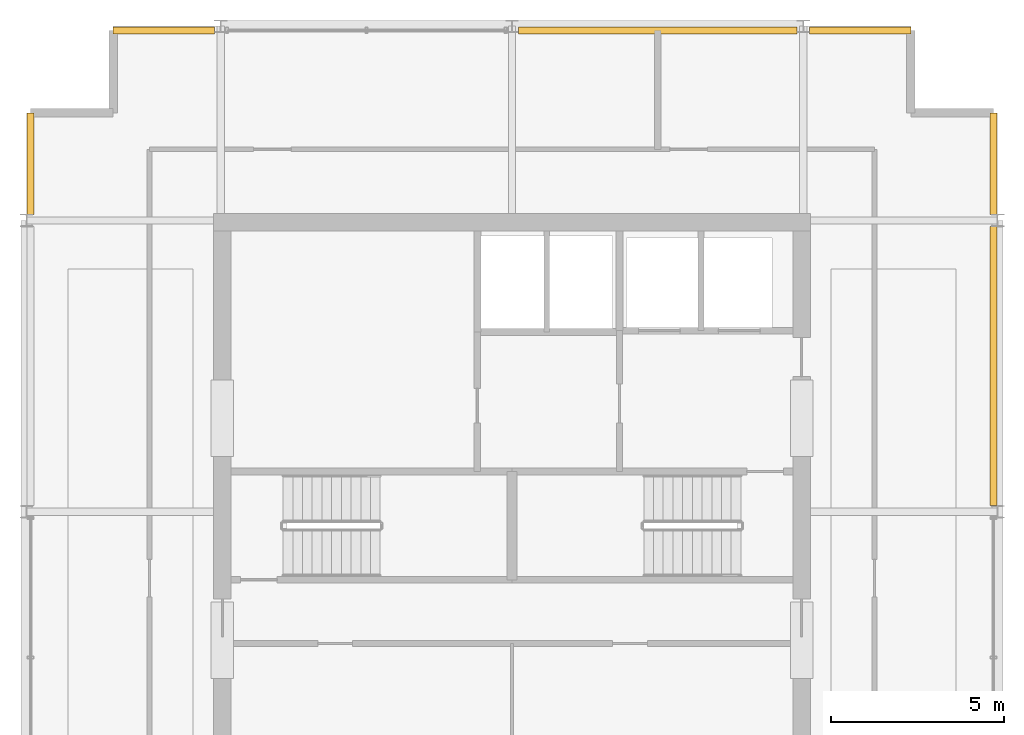
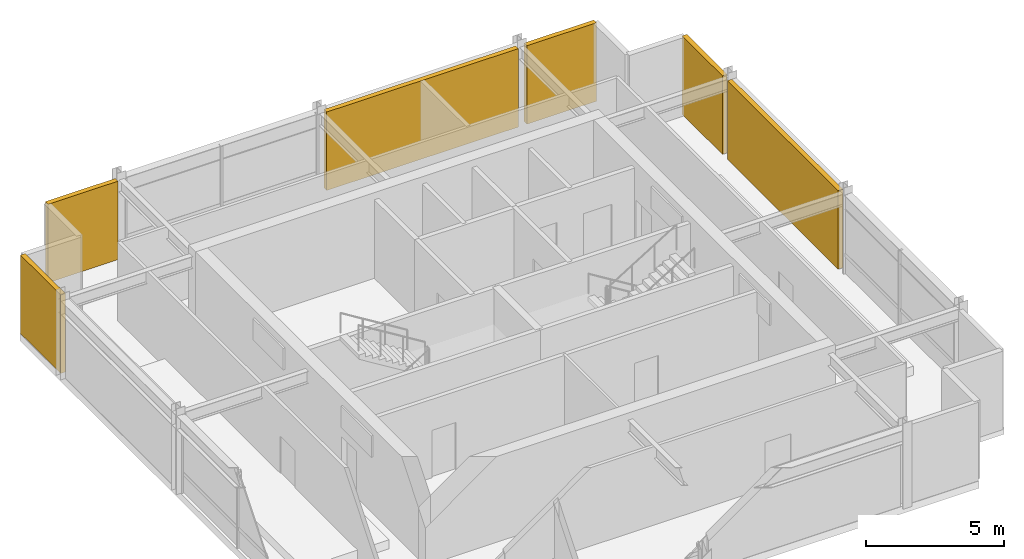
# One storey, part 12 of 12: 6 shading devices.
"""IFC4 building model written with IfcOpenShell, lengths in metres."""

import ifcopenshell
import ifcopenshell.guid

model = None  # the IFC model being written
_history = None  # IfcOwnerHistory: only IFC2X3 demands one
_inside = {}  # id of a spatial element -> (the spatial element, [elements in it])
_under = {}  # id of a project, library or spatial element -> (it, [spatial elements below it])
_declared = {}  # id of a project -> (the project, [libraries it declares])
_typed = {}  # id of a type object -> (the type object, [elements of that type])
_made_of = {}  # id of a material, layer set ... -> (it, [elements and type objects made of it])


def new_model(schema):
    """Start an empty IFC model of exactly this schema.

    Asked for "IFC4X3", IfcOpenShell would pick the latest addendum, in which some entities
    have other attributes; the version numbers below select the first issue.
    IFC2X3 requires an IfcOwnerHistory on every rooted entity: one is made here for all.
    """
    global model, _history
    if schema == "IFC4X3":
        model = ifcopenshell.file(schema_version=(4, 3, 0, 0))
    else:
        model = ifcopenshell.file(schema=schema)
    _inside.clear()
    _under.clear()
    _declared.clear()
    _typed.clear()
    _made_of.clear()
    _history = None
    if model.schema == "IFC2X3":
        org = make("IfcOrganization", Name="unknown")
        user = make(
            "IfcPersonAndOrganization",
            ThePerson=make("IfcPerson", FamilyName="unknown"),
            TheOrganization=org,
        )
        app = make(
            "IfcApplication",
            ApplicationDeveloper=org,
            Version="unknown",
            ApplicationFullName="unknown",
            ApplicationIdentifier="unknown",
        )
        _history = make(
            "IfcOwnerHistory",
            OwningUser=user,
            OwningApplication=app,
            ChangeAction="ADDED",
            CreationDate=0,
        )
    return model


def make(cls, **values):
    """One entity of the class cls with the attributes given. An attribute that is None is left unset."""
    return model.create_entity(
        cls, **{name: value for name, value in values.items() if value is not None}
    )


def rooted(cls, **values):
    """An entity with a GlobalId (a new one), such as an element, a storey or a relation."""
    return make(cls, GlobalId=ifcopenshell.guid.new(), OwnerHistory=_history, **values)


def si_unit(unit_type, name, prefix=None):
    """IfcSIUnit, for example si_unit("LENGTHUNIT", "METRE", prefix="MILLI")."""
    return make("IfcSIUnit", UnitType=unit_type, Prefix=prefix, Name=name)


def assignment(units):
    """IfcUnitAssignment: the units of a project."""
    return None if units is None else make("IfcUnitAssignment", Units=units)


def point(xyz):
    """IfcCartesianPoint."""
    return None if xyz is None else make("IfcCartesianPoint", Coordinates=xyz)


def direction(xyz):
    """IfcDirection."""
    return None if xyz is None else make("IfcDirection", DirectionRatios=xyz)


def frame(location, z_axis=None, x_axis=None):
    """IfcAxis2Placement3D, a coordinate frame: its origin and axes. An axis left out is left unset."""
    return make(
        "IfcAxis2Placement3D",
        Location=point(location),
        Axis=direction(z_axis),
        RefDirection=direction(x_axis),
    )


def frame_2d(location, x_axis=None):
    """IfcAxis2Placement2D, a coordinate frame in the plane: its origin and x axis."""
    return make(
        "IfcAxis2Placement2D", Location=point(location), RefDirection=direction(x_axis)
    )


def origin():
    """The frame at (0, 0, 0) with its axes left unset."""
    return frame((0.0, 0.0, 0.0))


def origin_2d():
    """The frame at (0, 0) in the plane with its x axis left unset."""
    return frame_2d((0.0, 0.0))


def place(relative_to, where):
    """IfcLocalPlacement: puts the frame where relative to a parent placement (None: the world)."""
    return make(
        "IfcLocalPlacement", PlacementRelTo=relative_to, RelativePlacement=where
    )


def context(
    kind, dimensions, precision=None, world=None, true_north=None, identifier=None
):
    """IfcGeometricRepresentationContext, for example the 3D "Model" context."""
    return make(
        "IfcGeometricRepresentationContext",
        ContextIdentifier=identifier,
        ContextType=kind,
        CoordinateSpaceDimension=dimensions,
        Precision=precision,
        WorldCoordinateSystem=world,
        TrueNorth=true_north,
    )


def subcontext(parent, identifier, kind, view, scale=None):
    """IfcGeometricRepresentationSubContext, for example "Body" below "Model"."""
    return make(
        "IfcGeometricRepresentationSubContext",
        ContextIdentifier=identifier,
        ContextType=kind,
        ParentContext=parent,
        TargetScale=scale,
        TargetView=view,
    )


def project(units=None, contexts=None):
    """IfcProject with its units and contexts."""
    return rooted(
        "IfcProject",
        Name="project",
        RepresentationContexts=contexts,
        UnitsInContext=assignment(units),
    )


def spatial(cls, under=None, at=None, **own):
    """A site, building, storey or space (cls), placed at a placement, below another one or the project."""
    s = rooted(cls, ObjectPlacement=at, **own)
    if under is not None:
        _under.setdefault(under.id(), (under, []))[1].append(s)
    return s


def profile(cls, at=None, kind="AREA", **sizes):
    """A parametric profile (cls). Its sizes go by their IFC names, for example OverallWidth=200.0."""
    return make(cls, ProfileType=kind, Position=at, **sizes)


def rectangle(**sizes):
    """IfcRectangleProfileDef."""
    return profile("IfcRectangleProfileDef", **sizes)


def extrude(swept, where, along, depth):
    """IfcExtrudedAreaSolid: the profile swept, set in the frame where, extruded along a direction by depth."""
    return make(
        "IfcExtrudedAreaSolid",
        SweptArea=swept,
        Position=where,
        ExtrudedDirection=direction(along),
        Depth=depth,
    )


def shape(context_of_items, identifier, shape_type, items):
    """IfcShapeRepresentation: the items that make up one representation, for example the "Body"."""
    return make(
        "IfcShapeRepresentation",
        ContextOfItems=context_of_items,
        RepresentationIdentifier=identifier,
        RepresentationType=shape_type,
        Items=items,
    )


def material(Name=None, Category=None):
    """IfcMaterial."""
    return make("IfcMaterial", Name=Name, Category=Category)


def layer(
    of_material, thickness, ventilated=None, Name=None, Category=None, Priority=None
):
    """IfcMaterialLayer: one layer of a wall or slab, of a material (None: an air gap)."""
    return make(
        "IfcMaterialLayer",
        Material=of_material,
        LayerThickness=thickness,
        IsVentilated=ventilated,
        Name=Name,
        Category=Category,
        Priority=Priority,
    )


def layer_set(layers, Name=None):
    """IfcMaterialLayerSet."""
    return make("IfcMaterialLayerSet", MaterialLayers=layers, LayerSetName=Name)


def made_of(thing, what):
    """Note that an element or type object is made of a material, layer set ...; save() writes the relation."""
    if what is not None:
        _made_of.setdefault(what.id(), (what, []))[1].append(thing)
    return thing


def type_object(cls, material=None, **own):
    """A type object (cls), such as IfcWallType, which elements share."""
    return made_of(rooted(cls, **own), material)


def element(
    cls,
    number,
    at=None,
    inside=None,
    cuts=None,
    type_object=None,
    material=None,
    context=None,
    identifier="Body",
    shape_type=None,
    held_by="IfcProductDefinitionShape",
    body=None,
    shapes=None,
    **own,
):
    """One element of the class cls, such as IfcWall. Its Tag is "e" and its number.

    at: its placement. inside: the storey or other place that contains it. cuts: it is an
    opening in that element (IfcRelVoidsElement). A single representation is given by context,
    identifier, shape_type and body (its items); several are given by shapes. held_by: the class
    of the entity that holds the representations. save() writes the other relations.
    """
    e = rooted(cls, Tag="e%d" % number, ObjectPlacement=at, **own)
    if body is not None:
        shapes = [shape(context, identifier, shape_type, body)]
    if shapes is not None:
        e.Representation = make(held_by, Representations=shapes)
    if inside is not None:
        _inside.setdefault(inside.id(), (inside, []))[1].append(e)
    if cuts is not None:
        rooted(
            "IfcRelVoidsElement", RelatingBuildingElement=cuts, RelatedOpeningElement=e
        )
    if type_object is not None:
        _typed.setdefault(type_object.id(), (type_object, []))[1].append(e)
    return made_of(e, material)


def aggregate(whole, parts):
    """IfcRelAggregates: a whole, such as a stair, and the parts it consists of."""
    return rooted("IfcRelAggregates", RelatingObject=whole, RelatedObjects=parts)


def save(model, path):
    """Write the relations noted so far, then the file.

    IfcRelAggregates (storeys below a building ...), IfcRelContainedInSpatialStructure (elements
    in a storey), IfcRelDefinesByType, IfcRelAssociatesMaterial and IfcRelDeclares: one each for
    every whole, place, type object, material and project.
    """
    for whole, parts in _under.values():
        aggregate(whole, parts)
    for where, things in _inside.values():
        rooted(
            "IfcRelContainedInSpatialStructure",
            RelatedElements=things,
            RelatingStructure=where,
        )
    for kind, things in _typed.values():
        rooted("IfcRelDefinesByType", RelatedObjects=things, RelatingType=kind)
    for what, things in _made_of.values():
        rooted("IfcRelAssociatesMaterial", RelatedObjects=things, RelatingMaterial=what)
    for by, libraries in _declared.values():
        rooted("IfcRelDeclares", RelatingContext=by, RelatedDefinitions=libraries)
    model.write(path)


model = new_model("IFC4")

# Units and contexts
model_context = context("Model", 3, precision=1e-05, world=origin(), true_north=direction((0.0, 1.0)))
body_context = subcontext(model_context, "Body", "Model", "MODEL_VIEW")
ifc_project = project(units=[si_unit("LENGTHUNIT", "METRE"), si_unit("AREAUNIT", "SQUARE_METRE"), si_unit("VOLUMEUNIT", "CUBIC_METRE"), si_unit("PLANEANGLEUNIT", "RADIAN"), si_unit("MASSUNIT", "GRAM", prefix="KILO")], contexts=[model_context])

# Site, building, storey
site_placement = place(None, origin())
site = spatial("IfcSite", under=ifc_project, at=site_placement, CompositionType="ELEMENT")
building_placement = place(site_placement, origin())
building = spatial("IfcBuilding", under=site, at=building_placement, Name="Drelvath Grand Hotel", CompositionType="ELEMENT")
storey_placement = place(building_placement, frame((0.0, 0.0, 319.39990234375)))
storey = spatial("IfcBuildingStorey", under=building, at=storey_placement, Name="L83", CompositionType="ELEMENT", Elevation=319.39990234375)

# Shading devices
ifc_material = material(Name="Platinum-Mist Anodised Aluminium Louvre", Category="aluminium")
ifc_layer = layer(ifc_material, 0.199951171875)
ifc_layer_set = layer_set([ifc_layer], Name="Platinum-Mist Anodised Aluminium Louvre")
shading_device_type = type_object("IfcShadingDeviceType", Name="Crown Drum Screened Acoustic Louvre 200", PredefinedType="USERDEFINED", material=ifc_layer_set)
shading_device_1_placement = place(storey_placement, frame((-13.8798828125, 37.037109375, 0.0), z_axis=(0.0, 0.0, 1.0), x_axis=(0.0, 1.0, 0.0)))
element("IfcShadingDevice", 1, at=shading_device_1_placement, inside=storey, type_object=shading_device_type, Name="L83 Crown Drum Acoustic Louvre W-4", ObjectType="LOUVRE", PredefinedType="USERDEFINED", context=body_context, shape_type="SweptSolid", body=[
    extrude(rectangle(XDim=2.926025390625, YDim=0.199951171875, at=origin_2d()), origin(), (0.0, 0.0, 1.0), 3.47998046875),
])
shading_device_2_placement = place(storey_placement, frame((13.8798828125, 31.199951171875, 0.0), z_axis=(0.0, 0.0, 1.0), x_axis=(0.0, 1.0, 0.0)))
element("IfcShadingDevice", 2, at=shading_device_2_placement, inside=storey, type_object=shading_device_type, Name="L83 Crown Drum Acoustic Louvre E-3", ObjectType="LOUVRE", PredefinedType="USERDEFINED", context=body_context, shape_type="SweptSolid", body=[
    extrude(rectangle(XDim=8.052001953125, YDim=0.199951171875, at=origin_2d()), origin(), (0.0, 0.0, 1.0), 3.47998046875),
])
shading_device_3_placement = place(storey_placement, frame((13.8798828125, 37.037109375, 0.0), z_axis=(0.0, 0.0, 1.0), x_axis=(0.0, 1.0, 0.0)))
element("IfcShadingDevice", 3, at=shading_device_3_placement, inside=storey, type_object=shading_device_type, Name="L83 Crown Drum Acoustic Louvre E-4", ObjectType="LOUVRE", PredefinedType="USERDEFINED", context=body_context, shape_type="SweptSolid", body=[
    extrude(rectangle(XDim=2.926025390625, YDim=0.199951171875, at=origin_2d()), origin(), (0.0, 0.0, 1.0), 3.47998046875),
])
shading_device_4_placement = place(storey_placement, frame((-10.040283203125, 40.8798828125, 0.0), z_axis=(0.0, 0.0, 1.0), x_axis=(1.0, 0.0, 0.0)))
element("IfcShadingDevice", 4, at=shading_device_4_placement, inside=storey, type_object=shading_device_type, Name="L83 Crown Drum Acoustic Louvre N-1", ObjectType="LOUVRE", PredefinedType="USERDEFINED", context=body_context, shape_type="SweptSolid", body=[
    extrude(rectangle(XDim=2.919677734375, YDim=0.199951171875, at=origin_2d()), origin(), (0.0, 0.0, 1.0), 3.47998046875),
])
shading_device_5_placement = place(storey_placement, frame((4.199951171875, 40.8798828125, 0.0), z_axis=(0.0, 0.0, 1.0), x_axis=(1.0, 0.0, 0.0)))
element("IfcShadingDevice", 5, at=shading_device_5_placement, inside=storey, type_object=shading_device_type, Name="L83 Crown Drum Acoustic Louvre N-3", ObjectType="LOUVRE", PredefinedType="USERDEFINED", context=body_context, shape_type="SweptSolid", body=[
    extrude(rectangle(XDim=8.039306640625, YDim=0.199951171875, at=origin_2d()), origin(), (0.0, 0.0, 1.0), 3.47998046875),
])
shading_device_6_placement = place(storey_placement, frame((10.040283203125, 40.8798828125, 0.0), z_axis=(0.0, 0.0, 1.0), x_axis=(1.0, 0.0, 0.0)))
element("IfcShadingDevice", 6, at=shading_device_6_placement, inside=storey, type_object=shading_device_type, Name="L83 Crown Drum Acoustic Louvre N-4", ObjectType="LOUVRE", PredefinedType="USERDEFINED", context=body_context, shape_type="SweptSolid", body=[
    extrude(rectangle(XDim=2.919677734375, YDim=0.199951171875, at=origin_2d()), origin(), (0.0, 0.0, 1.0), 3.47998046875),
])

save(model, "model.ifc")
